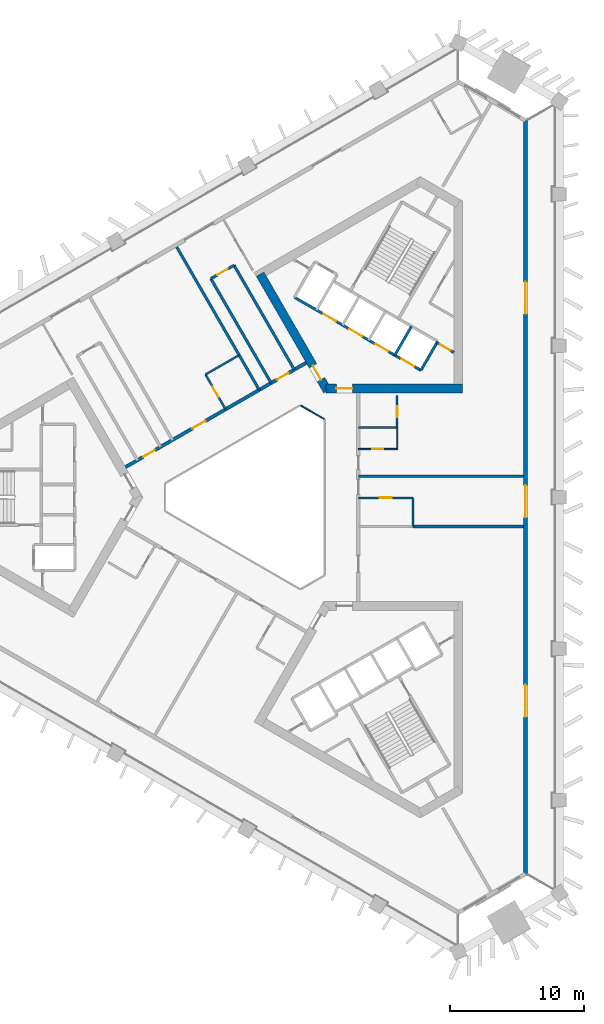
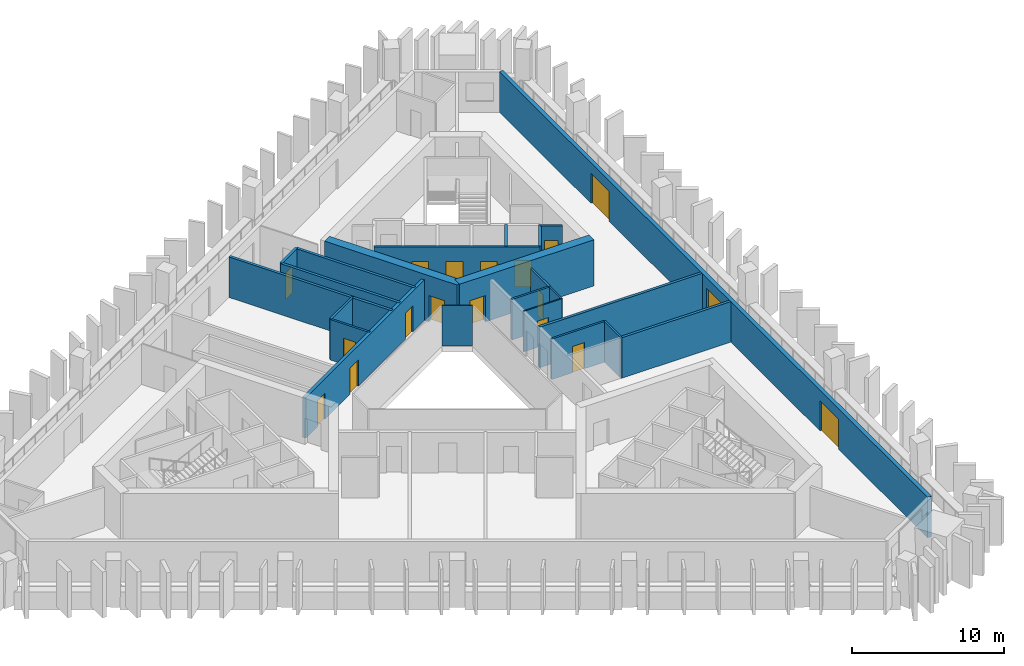
# One storey, part 5 of 10: 23 walls, 18 doors, 18 openings.
"""IFC4 building model written with IfcOpenShell, lengths in metres."""

import ifcopenshell
import ifcopenshell.guid

model = None  # the IFC model being written
_history = None  # IfcOwnerHistory: only IFC2X3 demands one
_inside = {}  # id of a spatial element -> (the spatial element, [elements in it])
_under = {}  # id of a project, library or spatial element -> (it, [spatial elements below it])
_declared = {}  # id of a project -> (the project, [libraries it declares])
_typed = {}  # id of a type object -> (the type object, [elements of that type])
_made_of = {}  # id of a material, layer set ... -> (it, [elements and type objects made of it])


def new_model(schema):
    """Start an empty IFC model of exactly this schema.

    Asked for "IFC4X3", IfcOpenShell would pick the latest addendum, in which some entities
    have other attributes; the version numbers below select the first issue.
    IFC2X3 requires an IfcOwnerHistory on every rooted entity: one is made here for all.
    """
    global model, _history
    if schema == "IFC4X3":
        model = ifcopenshell.file(schema_version=(4, 3, 0, 0))
    else:
        model = ifcopenshell.file(schema=schema)
    _inside.clear()
    _under.clear()
    _declared.clear()
    _typed.clear()
    _made_of.clear()
    _history = None
    if model.schema == "IFC2X3":
        org = make("IfcOrganization", Name="unknown")
        user = make(
            "IfcPersonAndOrganization",
            ThePerson=make("IfcPerson", FamilyName="unknown"),
            TheOrganization=org,
        )
        app = make(
            "IfcApplication",
            ApplicationDeveloper=org,
            Version="unknown",
            ApplicationFullName="unknown",
            ApplicationIdentifier="unknown",
        )
        _history = make(
            "IfcOwnerHistory",
            OwningUser=user,
            OwningApplication=app,
            ChangeAction="ADDED",
            CreationDate=0,
        )
    return model


def make(cls, **values):
    """One entity of the class cls with the attributes given. An attribute that is None is left unset."""
    return model.create_entity(
        cls, **{name: value for name, value in values.items() if value is not None}
    )


def rooted(cls, **values):
    """An entity with a GlobalId (a new one), such as an element, a storey or a relation."""
    return make(cls, GlobalId=ifcopenshell.guid.new(), OwnerHistory=_history, **values)


def si_unit(unit_type, name, prefix=None):
    """IfcSIUnit, for example si_unit("LENGTHUNIT", "METRE", prefix="MILLI")."""
    return make("IfcSIUnit", UnitType=unit_type, Prefix=prefix, Name=name)


def assignment(units):
    """IfcUnitAssignment: the units of a project."""
    return None if units is None else make("IfcUnitAssignment", Units=units)


def point(xyz):
    """IfcCartesianPoint."""
    return None if xyz is None else make("IfcCartesianPoint", Coordinates=xyz)


def direction(xyz):
    """IfcDirection."""
    return None if xyz is None else make("IfcDirection", DirectionRatios=xyz)


def frame(location, z_axis=None, x_axis=None):
    """IfcAxis2Placement3D, a coordinate frame: its origin and axes. An axis left out is left unset."""
    return make(
        "IfcAxis2Placement3D",
        Location=point(location),
        Axis=direction(z_axis),
        RefDirection=direction(x_axis),
    )


def frame_2d(location, x_axis=None):
    """IfcAxis2Placement2D, a coordinate frame in the plane: its origin and x axis."""
    return make(
        "IfcAxis2Placement2D", Location=point(location), RefDirection=direction(x_axis)
    )


def origin():
    """The frame at (0, 0, 0) with its axes left unset."""
    return frame((0.0, 0.0, 0.0))


def place(relative_to, where):
    """IfcLocalPlacement: puts the frame where relative to a parent placement (None: the world)."""
    return make(
        "IfcLocalPlacement", PlacementRelTo=relative_to, RelativePlacement=where
    )


def context(
    kind, dimensions, precision=None, world=None, true_north=None, identifier=None
):
    """IfcGeometricRepresentationContext, for example the 3D "Model" context."""
    return make(
        "IfcGeometricRepresentationContext",
        ContextIdentifier=identifier,
        ContextType=kind,
        CoordinateSpaceDimension=dimensions,
        Precision=precision,
        WorldCoordinateSystem=world,
        TrueNorth=true_north,
    )


def subcontext(parent, identifier, kind, view, scale=None):
    """IfcGeometricRepresentationSubContext, for example "Body" below "Model"."""
    return make(
        "IfcGeometricRepresentationSubContext",
        ContextIdentifier=identifier,
        ContextType=kind,
        ParentContext=parent,
        TargetScale=scale,
        TargetView=view,
    )


def project(units=None, contexts=None):
    """IfcProject with its units and contexts."""
    return rooted(
        "IfcProject",
        Name="project",
        RepresentationContexts=contexts,
        UnitsInContext=assignment(units),
    )


def spatial(cls, under=None, at=None, **own):
    """A site, building, storey or space (cls), placed at a placement, below another one or the project."""
    s = rooted(cls, ObjectPlacement=at, **own)
    if under is not None:
        _under.setdefault(under.id(), (under, []))[1].append(s)
    return s


def profile(cls, at=None, kind="AREA", **sizes):
    """A parametric profile (cls). Its sizes go by their IFC names, for example OverallWidth=200.0."""
    return make(cls, ProfileType=kind, Position=at, **sizes)


def rectangle(**sizes):
    """IfcRectangleProfileDef."""
    return profile("IfcRectangleProfileDef", **sizes)


def extrude(swept, where, along, depth):
    """IfcExtrudedAreaSolid: the profile swept, set in the frame where, extruded along a direction by depth."""
    return make(
        "IfcExtrudedAreaSolid",
        SweptArea=swept,
        Position=where,
        ExtrudedDirection=direction(along),
        Depth=depth,
    )


def shape(context_of_items, identifier, shape_type, items):
    """IfcShapeRepresentation: the items that make up one representation, for example the "Body"."""
    return make(
        "IfcShapeRepresentation",
        ContextOfItems=context_of_items,
        RepresentationIdentifier=identifier,
        RepresentationType=shape_type,
        Items=items,
    )


def material(Name=None, Category=None):
    """IfcMaterial."""
    return make("IfcMaterial", Name=Name, Category=Category)


def layer(
    of_material, thickness, ventilated=None, Name=None, Category=None, Priority=None
):
    """IfcMaterialLayer: one layer of a wall or slab, of a material (None: an air gap)."""
    return make(
        "IfcMaterialLayer",
        Material=of_material,
        LayerThickness=thickness,
        IsVentilated=ventilated,
        Name=Name,
        Category=Category,
        Priority=Priority,
    )


def layer_set(layers, Name=None):
    """IfcMaterialLayerSet."""
    return make("IfcMaterialLayerSet", MaterialLayers=layers, LayerSetName=Name)


def made_of(thing, what):
    """Note that an element or type object is made of a material, layer set ...; save() writes the relation."""
    if what is not None:
        _made_of.setdefault(what.id(), (what, []))[1].append(thing)
    return thing


def type_object(cls, material=None, **own):
    """A type object (cls), such as IfcWallType, which elements share."""
    return made_of(rooted(cls, **own), material)


def element(
    cls,
    number,
    at=None,
    inside=None,
    cuts=None,
    type_object=None,
    material=None,
    context=None,
    identifier="Body",
    shape_type=None,
    held_by="IfcProductDefinitionShape",
    body=None,
    shapes=None,
    **own,
):
    """One element of the class cls, such as IfcWall. Its Tag is "e" and its number.

    at: its placement. inside: the storey or other place that contains it. cuts: it is an
    opening in that element (IfcRelVoidsElement). A single representation is given by context,
    identifier, shape_type and body (its items); several are given by shapes. held_by: the class
    of the entity that holds the representations. save() writes the other relations.
    """
    e = rooted(cls, Tag="e%d" % number, ObjectPlacement=at, **own)
    if body is not None:
        shapes = [shape(context, identifier, shape_type, body)]
    if shapes is not None:
        e.Representation = make(held_by, Representations=shapes)
    if inside is not None:
        _inside.setdefault(inside.id(), (inside, []))[1].append(e)
    if cuts is not None:
        rooted(
            "IfcRelVoidsElement", RelatingBuildingElement=cuts, RelatedOpeningElement=e
        )
    if type_object is not None:
        _typed.setdefault(type_object.id(), (type_object, []))[1].append(e)
    return made_of(e, material)


def fill(opening, filler):
    """IfcRelFillsElement: the door or window that sits in an opening."""
    return rooted(
        "IfcRelFillsElement",
        RelatingOpeningElement=opening,
        RelatedBuildingElement=filler,
    )


def aggregate(whole, parts):
    """IfcRelAggregates: a whole, such as a stair, and the parts it consists of."""
    return rooted("IfcRelAggregates", RelatingObject=whole, RelatedObjects=parts)


def save(model, path):
    """Write the relations noted so far, then the file.

    IfcRelAggregates (storeys below a building ...), IfcRelContainedInSpatialStructure (elements
    in a storey), IfcRelDefinesByType, IfcRelAssociatesMaterial and IfcRelDeclares: one each for
    every whole, place, type object, material and project.
    """
    for whole, parts in _under.values():
        aggregate(whole, parts)
    for where, things in _inside.values():
        rooted(
            "IfcRelContainedInSpatialStructure",
            RelatedElements=things,
            RelatingStructure=where,
        )
    for kind, things in _typed.values():
        rooted("IfcRelDefinesByType", RelatedObjects=things, RelatingType=kind)
    for what, things in _made_of.values():
        rooted("IfcRelAssociatesMaterial", RelatedObjects=things, RelatingMaterial=what)
    for by, libraries in _declared.values():
        rooted("IfcRelDeclares", RelatingContext=by, RelatedDefinitions=libraries)
    model.write(path)


model = new_model("IFC4")

# Units and contexts
model_context = context("Model", 3, precision=1e-05, world=origin(), true_north=direction((0.0, 1.0)))
body_context = subcontext(model_context, "Body", "Model", "MODEL_VIEW")
ifc_project = project(units=[si_unit("LENGTHUNIT", "METRE"), si_unit("AREAUNIT", "SQUARE_METRE"), si_unit("VOLUMEUNIT", "CUBIC_METRE"), si_unit("PLANEANGLEUNIT", "RADIAN"), si_unit("MASSUNIT", "GRAM", prefix="KILO")], contexts=[model_context])

# Site, building, storey
site_placement = place(None, origin())
site = spatial("IfcSite", under=ifc_project, at=site_placement, CompositionType="ELEMENT")
building_placement = place(site_placement, origin())
building = spatial("IfcBuilding", under=site, at=building_placement, Name="Jabali Bay Hotel Tower and Convention Centre", CompositionType="ELEMENT")
storey_placement = place(building_placement, frame((0.0, 0.0, 125.300048828125)))
storey = spatial("IfcBuildingStorey", under=building, at=storey_placement, Name="L30", CompositionType="ELEMENT", Elevation=125.300048828125)

# Wall
ifc_material_1 = material(Name="Fire-resistant glazing", Category="glass")
ifc_layer_1 = layer(ifc_material_1, 0.10009765625)
ifc_layer_set_1 = layer_set([ifc_layer_1], Name="Fire-resistant glazing")
wall_type_1 = type_object("IfcWallType", Name="Atrium glazed screen 100", PredefinedType="PARTITIONING", material=ifc_layer_set_1)
wall_1_placement = place(storey_placement, frame((79.530029296875, 85.84619140625, 0.0), z_axis=(0.0, 0.0, 1.0), x_axis=(-0.866041268327, 0.499972520799, 0.0)))
element("IfcWall", 1, at=wall_1_placement, inside=storey, type_object=wall_type_1, Name="Atrium screen 2 L30", PredefinedType="PARTITIONING", context=body_context, shape_type="SweptSolid", body=[
    extrude(rectangle(XDim=2.0, YDim=0.10009765625, at=frame_2d((1.0, 0.0))), origin(), (0.0, 0.0, 1.0), 3.25),
])

# Wall, opening, door
ifc_material_2 = material(Name="Concrete C40", Category="concrete")
ifc_layer_2 = layer(ifc_material_2, 0.199951171875)
ifc_layer_set_2 = layer_set([ifc_layer_2], Name="Concrete C40")
wall_type_2 = type_object("IfcWallType", Name="Core partition wall 200", PredefinedType="PARTITIONING", material=ifc_layer_set_2)
wall_2_placement = place(storey_placement, frame((89.22998046875, 90.813720703125, 0.0), z_axis=(0.0, 0.0, 1.0), x_axis=(-0.866022048785, 0.500005810984, 0.0)))
wall_2 = element("IfcWall", 2, at=wall_2_placement, inside=storey, type_object=wall_type_2, Name="Core wall 1.11 L30", PredefinedType="PARTITIONING", context=body_context, shape_type="SweptSolid", body=[
    extrude(rectangle(XDim=1.466796875, YDim=0.199951171875, at=frame_2d((0.7333984375, 0.0))), origin(), (0.0, 0.0, 1.0), 3.25),
])
opening_1_placement = place(wall_2_placement, frame((0.283447265625, 0.0, 0.0)))
opening_1 = element("IfcOpeningElement", 3, at=opening_1_placement, cuts=wall_2, Name="Opening D671", PredefinedType="OPENING", context=body_context, shape_type="SweptSolid", body=[
    extrude(rectangle(XDim=0.89990234375, YDim=2.10009765625, at=frame_2d((0.449951171875, 1.050048828125))), frame((0.0, 0.1103515625, 0.0), z_axis=(0.0, -1.0, 0.0), x_axis=(1.0, 0.0, 0.0)), (0.0, 0.0, 1.0), 0.220947265625),
])
ifc_material_3 = material(Name="Fire-rated steel door", Category="steel")
door_type_1 = type_object("IfcDoorType", Name="Vestibule fire door 900 x 2100", OperationType="NOTDEFINED", PredefinedType="NOTDEFINED", material=ifc_material_3)
door_1_placement = place(opening_1_placement, origin())
door_1 = element("IfcDoor", 4, at=door_1_placement, inside=storey, type_object=door_type_1, Name="Vestibule fire door D671", OperationType="SINGLE_SWING_LEFT", OverallHeight=2.10009765625, OverallWidth=0.89990234375, PredefinedType="NOTDEFINED", context=body_context, shape_type="SweptSolid", body=[
    extrude(rectangle(XDim=0.89990234375, YDim=2.10009765625, at=frame_2d((0.449951171875, 1.050048828125))), frame((0.0, 0.02490234375, 0.0), z_axis=(0.0, -1.0, 0.0), x_axis=(1.0, 0.0, 0.0)), (0.0, 0.0, 1.0), 0.050048828125),
])
fill(opening_1, door_1)

# Walls
ifc_layer_3 = layer(ifc_material_2, 0.199951171875)
ifc_layer_set_3 = layer_set([ifc_layer_3], Name="Concrete C40")
wall_type_3 = type_object("IfcWallType", Name="Core stair wall 200", PredefinedType="SOLIDWALL", material=ifc_layer_set_3)
for number, where, z_axis, x_axis, name in (
    (5, (86.769775390625, 89.48583984375, 0.0), (0.0, 0.0, 1.0), (0.499961042966, 0.86604789447, 0.0), "Core wall 1.0 L30"),
    (6, (84.8212890625, 90.61083984375, 0.0), (0.0, 0.0, 1.0), (0.499961042966, 0.86604789447, 0.0), "Core wall 1.2 L30"),
):
    element("IfcWall", number, at=place(storey_placement, frame(where, z_axis=z_axis, x_axis=x_axis)), inside=storey, type_object=wall_type_3, Name=name, PredefinedType="SOLIDWALL", context=body_context, shape_type="SweptSolid", body=[
        extrude(rectangle(XDim=2.480224609375, YDim=0.199951171875, at=frame_2d((1.240234375, 0.0))), origin(), (0.0, 0.0, 1.0), 3.25),
    ])

# Wall, openings, doors
wall_3_placement = place(storey_placement, frame((86.769775390625, 89.48583984375, 0.0), z_axis=(0.0, 0.0, 1.0), x_axis=(-0.86601811187, 0.500012629753, 0.0)))
wall_3 = element("IfcWall", 7, at=wall_3_placement, inside=storey, type_object=wall_type_3, Name="Core wall 1.10 L30", PredefinedType="SOLIDWALL", context=body_context, shape_type="SweptSolid", body=[
    extrude(rectangle(XDim=10.900146484375, YDim=0.199951171875, at=frame_2d((5.4501953125, 0.0))), origin(), (0.0, 0.0, 1.0), 3.25),
])
opening_2_placement = place(wall_3_placement, frame((0.574951171875, 0.0, 0.0)))
opening_2 = element("IfcOpeningElement", 8, at=opening_2_placement, cuts=wall_3, Name="Opening LD6-L30", PredefinedType="OPENING", context=body_context, shape_type="SweptSolid", body=[
    extrude(rectangle(XDim=1.10009765625, YDim=2.10009765625, at=frame_2d((0.550048828125, 1.050048828125))), frame((0.0, 0.1103515625, 0.0), z_axis=(0.0, -1.0, 0.0), x_axis=(1.0, 0.0, 0.0)), (0.0, 0.0, 1.0), 0.220947265625),
])
opening_3_placement = place(wall_3_placement, frame((2.824951171875, 0.0, 0.0)))
opening_3 = element("IfcOpeningElement", 9, at=opening_3_placement, cuts=wall_3, Name="Opening LD7-L30", PredefinedType="OPENING", context=body_context, shape_type="SweptSolid", body=[
    extrude(rectangle(XDim=1.10009765625, YDim=2.10009765625, at=frame_2d((0.550048828125, 1.050048828125))), frame((0.0, 0.1103515625, 0.0), z_axis=(0.0, -1.0, 0.0), x_axis=(1.0, 0.0, 0.0)), (0.0, 0.0, 1.0), 0.220947265625),
])
opening_4_placement = place(wall_3_placement, frame((5.074951171875, 0.0, 0.0)))
opening_4 = element("IfcOpeningElement", 10, at=opening_4_placement, cuts=wall_3, Name="Opening LD8-L30", PredefinedType="OPENING", context=body_context, shape_type="SweptSolid", body=[
    extrude(rectangle(XDim=1.10009765625, YDim=2.10009765625, at=frame_2d((0.550048828125, 1.050048828125))), frame((0.0, 0.1103515625, 0.0), z_axis=(0.0, -1.0, 0.0), x_axis=(1.0, 0.0, 0.0)), (0.0, 0.0, 1.0), 0.220947265625),
])
opening_5_placement = place(wall_3_placement, frame((7.324951171875, 0.0, 0.0)))
opening_5 = element("IfcOpeningElement", 11, at=opening_5_placement, cuts=wall_3, Name="Opening LD9-L30", PredefinedType="OPENING", context=body_context, shape_type="SweptSolid", body=[
    extrude(rectangle(XDim=1.10009765625, YDim=2.10009765625, at=frame_2d((0.550048828125, 1.050048828125))), frame((0.0, 0.1103515625, 0.0), z_axis=(0.0, -1.0, 0.0), x_axis=(1.0, 0.0, 0.0)), (0.0, 0.0, 1.0), 0.220947265625),
])
ifc_material_4 = material(Name="Stainless steel landing door", Category="steel")
door_type_2 = type_object("IfcDoorType", Name="Landing door 1100 x 2100", OperationType="NOTDEFINED", PredefinedType="NOTDEFINED", material=ifc_material_4)
door_2_placement = place(opening_2_placement, origin())
door_2 = element("IfcDoor", 12, at=door_2_placement, inside=storey, type_object=door_type_2, Name="Landing doors LD6-L30", OperationType="SLIDING_TO_RIGHT", OverallHeight=2.10009765625, OverallWidth=1.10009765625, PredefinedType="NOTDEFINED", context=body_context, shape_type="SweptSolid", body=[
    extrude(rectangle(XDim=1.10009765625, YDim=2.10009765625, at=frame_2d((0.550048828125, 1.050048828125))), frame((0.0, 0.02490234375, 0.0), z_axis=(0.0, -1.0, 0.0), x_axis=(1.0, 0.0, 0.0)), (0.0, 0.0, 1.0), 0.050048828125),
])
fill(opening_2, door_2)
door_3_placement = place(opening_3_placement, origin())
door_3 = element("IfcDoor", 13, at=door_3_placement, inside=storey, type_object=door_type_2, Name="Landing doors LD7-L30", OperationType="SLIDING_TO_LEFT", OverallHeight=2.10009765625, OverallWidth=1.10009765625, PredefinedType="NOTDEFINED", context=body_context, shape_type="SweptSolid", body=[
    extrude(rectangle(XDim=1.10009765625, YDim=2.10009765625, at=frame_2d((0.550048828125, 1.050048828125))), frame((0.0, 0.02490234375, 0.0), z_axis=(0.0, -1.0, 0.0), x_axis=(1.0, 0.0, 0.0)), (0.0, 0.0, 1.0), 0.050048828125),
])
fill(opening_3, door_3)
door_4_placement = place(opening_4_placement, origin())
door_4 = element("IfcDoor", 14, at=door_4_placement, inside=storey, type_object=door_type_2, Name="Landing doors LD8-L30", OperationType="SLIDING_TO_RIGHT", OverallHeight=2.10009765625, OverallWidth=1.10009765625, PredefinedType="NOTDEFINED", context=body_context, shape_type="SweptSolid", body=[
    extrude(rectangle(XDim=1.10009765625, YDim=2.10009765625, at=frame_2d((0.550048828125, 1.050048828125))), frame((0.0, 0.02490234375, 0.0), z_axis=(0.0, -1.0, 0.0), x_axis=(1.0, 0.0, 0.0)), (0.0, 0.0, 1.0), 0.050048828125),
])
fill(opening_4, door_4)
door_5_placement = place(opening_5_placement, origin())
door_5 = element("IfcDoor", 15, at=door_5_placement, inside=storey, type_object=door_type_2, Name="Landing doors LD9-L30", OperationType="SLIDING_TO_LEFT", OverallHeight=2.10009765625, OverallWidth=1.10009765625, PredefinedType="NOTDEFINED", context=body_context, shape_type="SweptSolid", body=[
    extrude(rectangle(XDim=1.10009765625, YDim=2.10009765625, at=frame_2d((0.550048828125, 1.050048828125))), frame((0.0, 0.02490234375, 0.0), z_axis=(0.0, -1.0, 0.0), x_axis=(1.0, 0.0, 0.0)), (0.0, 0.0, 1.0), 0.050048828125),
])
fill(opening_5, door_5)

# Wall, opening, door
ifc_material_5 = material(Name="Concrete C60", Category="concrete")
ifc_layer_4 = layer(ifc_material_5, 0.64990234375)
ifc_layer_set_4 = layer_set([ifc_layer_4], Name="Concrete C60")
wall_type_4 = type_object("IfcWallType", Name="Core wall 650", PredefinedType="SHEAR", material=ifc_layer_set_4)
wall_4_placement = place(storey_placement, frame((79.687744140625, 88.119140625, 0.0), z_axis=(0.0, 0.0, 1.0), x_axis=(1.0, 0.0, 0.0)))
wall_4 = element("IfcWall", 16, at=wall_4_placement, inside=storey, type_object=wall_type_4, Name="Core wall 2.1 L30", PredefinedType="SHEAR", context=body_context, shape_type="SweptSolid", body=[
    extrude(rectangle(XDim=10.192138671875, YDim=0.64990234375, at=frame_2d((5.09619140625, 0.0))), origin(), (0.0, 0.0, 1.0), 3.699951171875),
])
opening_6_placement = place(wall_4_placement, frame((0.762451171875, 0.0, 0.0)))
opening_6 = element("IfcOpeningElement", 17, at=opening_6_placement, cuts=wall_4, Name="Opening D668", PredefinedType="OPENING", context=body_context, shape_type="SweptSolid", body=[
    extrude(rectangle(XDim=1.199951171875, YDim=2.10009765625, at=frame_2d((0.60009765625, 1.050048828125))), frame((0.0, 0.33544921875, 0.0), z_axis=(0.0, -1.0, 0.0), x_axis=(1.0, 0.0, 0.0)), (0.0, 0.0, 1.0), 0.6708984375),
])
door_type_3 = type_object("IfcDoorType", Name="Corridor end fire door 1200 x 2100", OperationType="NOTDEFINED", PredefinedType="NOTDEFINED", material=ifc_material_3)
door_6_placement = place(opening_6_placement, origin())
door_6 = element("IfcDoor", 18, at=door_6_placement, inside=storey, type_object=door_type_3, Name="Corridor end fire door D668", OperationType="SINGLE_SWING_RIGHT", OverallHeight=2.10009765625, OverallWidth=1.199951171875, PredefinedType="NOTDEFINED", context=body_context, shape_type="SweptSolid", body=[
    extrude(rectangle(XDim=1.199951171875, YDim=2.10009765625, at=frame_2d((0.60009765625, 1.050048828125))), frame((0.0, 0.02490234375, 0.0), z_axis=(0.0, -1.0, 0.0), x_axis=(1.0, 0.0, 0.0)), (0.0, 0.0, 1.0), 0.050048828125),
])
fill(opening_6, door_6)

wall_5_placement = place(storey_placement, frame((74.75390625, 96.66455078125, 0.0), z_axis=(0.0, 0.0, 1.0), x_axis=(0.500011799426, -0.866018591275, 0.0)))
wall_5 = element("IfcWall", 19, at=wall_5_placement, inside=storey, type_object=wall_type_4, Name="Core wall 2.5 L30", PredefinedType="SHEAR", context=body_context, shape_type="SweptSolid", body=[
    extrude(rectangle(XDim=10.054931640625, YDim=0.64990234375, at=frame_2d((5.02734375, 0.0))), origin(), (0.0, 0.0, 1.0), 3.699951171875),
])
opening_7_placement = place(wall_5_placement, frame((7.905029296875, 0.0, 0.0)))
opening_7 = element("IfcOpeningElement", 20, at=opening_7_placement, cuts=wall_5, Name="Opening D669", PredefinedType="OPENING", context=body_context, shape_type="SweptSolid", body=[
    extrude(rectangle(XDim=1.199951171875, YDim=2.10009765625, at=frame_2d((0.60009765625, 1.050048828125))), frame((0.0, 0.33544921875, 0.0), z_axis=(0.0, -1.0, 0.0), x_axis=(1.0, 0.0, 0.0)), (0.0, 0.0, 1.0), 0.6708984375),
])
door_7_placement = place(opening_7_placement, origin())
door_7 = element("IfcDoor", 21, at=door_7_placement, inside=storey, type_object=door_type_3, Name="Corridor end fire door D669", OperationType="SINGLE_SWING_LEFT", OverallHeight=2.10009765625, OverallWidth=1.199951171875, PredefinedType="NOTDEFINED", context=body_context, shape_type="SweptSolid", body=[
    extrude(rectangle(XDim=1.199951171875, YDim=2.10009765625, at=frame_2d((0.60009765625, 1.050048828125))), frame((0.0, 0.02490234375, 0.0), z_axis=(0.0, -1.0, 0.0), x_axis=(1.0, 0.0, 0.0)), (0.0, 0.0, 1.0), 0.050048828125),
])
fill(opening_7, door_7)

# Wall, openings, doors
ifc_layer_5 = layer(ifc_material_5, 0.25)
ifc_layer_set_5 = layer_set([ifc_layer_5], Name="Concrete C60")
wall_type_5 = type_object("IfcWallType", Name="Corridor wall 250", PredefinedType="SHEAR", material=ifc_layer_set_5)
wall_6_placement = place(storey_placement, frame((78.199951171875, 90.0458984375, 0.0), z_axis=(0.0, 0.0, 1.0), x_axis=(-0.866026492143, -0.499998114903, 0.0)))
wall_6 = element("IfcWall", 22, at=wall_6_placement, inside=storey, type_object=wall_type_5, Name="Corridor wall 2 L30", PredefinedType="SHEAR", context=body_context, shape_type="SweptSolid", body=[
    extrude(rectangle(XDim=15.58837890625, YDim=0.25, at=frame_2d((7.794189453125, 0.0))), origin(), (0.0, 0.0, 1.0), 3.25),
])
opening_8_placement = place(wall_6_placement, frame((1.526611328125, 0.0, 0.0)))
opening_8 = element("IfcOpeningElement", 23, at=opening_8_placement, cuts=wall_6, Name="Opening 3007", PredefinedType="OPENING", context=body_context, shape_type="SweptSolid", body=[
    extrude(rectangle(XDim=1.0, YDim=2.10009765625, at=frame_2d((0.5, 1.050048828125))), frame((0.0, 0.135498046875, 0.0), z_axis=(0.0, -1.0, 0.0), x_axis=(1.0, 0.0, 0.0)), (0.0, 0.0, 1.0), 0.27099609375),
])
opening_9_placement = place(wall_6_placement, frame((8.694091796875, 0.0, 0.0)))
opening_9 = element("IfcOpeningElement", 24, at=opening_9_placement, cuts=wall_6, Name="Opening 3012", PredefinedType="OPENING", context=body_context, shape_type="SweptSolid", body=[
    extrude(rectangle(XDim=1.10009765625, YDim=2.10009765625, at=frame_2d((0.550048828125, 1.050048828125))), frame((0.0, 0.135498046875, 0.0), z_axis=(0.0, -1.0, 0.0), x_axis=(1.0, 0.0, 0.0)), (0.0, 0.0, 1.0), 0.27099609375),
])
opening_10_placement = place(wall_6_placement, frame((13.06201171875, 0.0, 0.0)))
opening_10 = element("IfcOpeningElement", 25, at=opening_10_placement, cuts=wall_6, Name="Opening 3013", PredefinedType="OPENING", context=body_context, shape_type="SweptSolid", body=[
    extrude(rectangle(XDim=1.0, YDim=2.10009765625, at=frame_2d((0.5, 1.050048828125))), frame((0.0, 0.135498046875, 0.0), z_axis=(0.0, -1.0, 0.0), x_axis=(1.0, 0.0, 0.0)), (0.0, 0.0, 1.0), 0.27099609375),
])
ifc_material_6 = material(Name="Timber", Category="wood")
door_type_4 = type_object("IfcDoorType", Name="Accessible guest room door 1100 x 2100", OperationType="NOTDEFINED", PredefinedType="NOTDEFINED", material=ifc_material_6)
door_8_placement = place(opening_9_placement, origin())
door_8 = element("IfcDoor", 26, at=door_8_placement, inside=storey, type_object=door_type_4, Name="Door 3012", OperationType="SINGLE_SWING_RIGHT", OverallHeight=2.10009765625, OverallWidth=1.10009765625, PredefinedType="NOTDEFINED", context=body_context, shape_type="SweptSolid", body=[
    extrude(rectangle(XDim=1.10009765625, YDim=2.10009765625, at=frame_2d((0.550048828125, 1.050048828125))), frame((0.0, 0.02490234375, 0.0), z_axis=(0.0, -1.0, 0.0), x_axis=(1.0, 0.0, 0.0)), (0.0, 0.0, 1.0), 0.050048828125),
])
fill(opening_9, door_8)
door_type_5 = type_object("IfcDoorType", Name="Guest room door 1000 x 2100", OperationType="NOTDEFINED", PredefinedType="NOTDEFINED", material=ifc_material_6)
door_9_placement = place(opening_8_placement, origin())
door_9 = element("IfcDoor", 27, at=door_9_placement, inside=storey, type_object=door_type_5, Name="Door 3007", OperationType="SINGLE_SWING_LEFT", OverallHeight=2.10009765625, OverallWidth=1.0, PredefinedType="NOTDEFINED", context=body_context, shape_type="SweptSolid", body=[
    extrude(rectangle(XDim=1.0, YDim=2.10009765625, at=frame_2d((0.5, 1.050048828125))), frame((0.0, 0.02490234375, 0.0), z_axis=(0.0, -1.0, 0.0), x_axis=(1.0, 0.0, 0.0)), (0.0, 0.0, 1.0), 0.050048828125),
])
fill(opening_8, door_9)
door_10_placement = place(opening_10_placement, origin())
door_10 = element("IfcDoor", 28, at=door_10_placement, inside=storey, type_object=door_type_5, Name="Door 3013", OperationType="SINGLE_SWING_RIGHT", OverallHeight=2.10009765625, OverallWidth=1.0, PredefinedType="NOTDEFINED", context=body_context, shape_type="SweptSolid", body=[
    extrude(rectangle(XDim=1.0, YDim=2.10009765625, at=frame_2d((0.5, 1.050048828125))), frame((0.0, 0.02490234375, 0.0), z_axis=(0.0, -1.0, 0.0), x_axis=(1.0, 0.0, 0.0)), (0.0, 0.0, 1.0), 0.050048828125),
])
fill(opening_10, door_10)

ifc_layer_6 = layer(ifc_material_2, 0.300048828125)
ifc_layer_set_6 = layer_set([ifc_layer_6], Name="Concrete C40")
wall_type_6 = type_object("IfcWallType", Name="External wall 300", PredefinedType="SOLIDWALL", material=ifc_layer_set_6)
wall_7_placement = place(storey_placement, frame((94.575927734375, 108.146728515625, 0.0), z_axis=(0.0, 0.0, 1.0), x_axis=(0.0, -1.0, 0.0)))
wall_7 = element("IfcWall", 29, at=wall_7_placement, inside=storey, type_object=wall_type_6, Name="External wall east face L30", PredefinedType="SOLIDWALL", context=body_context, shape_type="SweptSolid", body=[
    extrude(rectangle(XDim=56.29345703125, YDim=0.300048828125, at=frame_2d((28.146728515625, 0.0))), origin(), (0.0, 0.0, 1.0), 3.25),
])
opening_11_placement = place(wall_7_placement, frame((27.258544921875, 0.0, 0.0)))
opening_11 = element("IfcOpeningElement", 30, at=opening_11_placement, cuts=wall_7, Name="Opening SD1", PredefinedType="OPENING", context=body_context, shape_type="SweptSolid", body=[
    extrude(rectangle(XDim=2.39990234375, YDim=2.39990234375, at=frame_2d((1.199951171875, 1.199951171875))), frame((0.0, 0.16064453125, 0.0), z_axis=(0.0, -1.0, 0.0), x_axis=(1.0, 0.0, 0.0)), (0.0, 0.0, 1.0), 0.321044921875),
])
opening_12_placement = place(wall_7_placement, frame((42.154541015625, 0.0, 0.0)))
opening_12 = element("IfcOpeningElement", 31, at=opening_12_placement, cuts=wall_7, Name="Opening SD1", PredefinedType="OPENING", context=body_context, shape_type="SweptSolid", body=[
    extrude(rectangle(XDim=2.39990234375, YDim=2.39990234375, at=frame_2d((1.199951171875, 1.199951171875))), frame((0.0, 0.16064453125, 0.0), z_axis=(0.0, -1.0, 0.0), x_axis=(1.0, 0.0, 0.0)), (0.0, 0.0, 1.0), 0.321044921875),
])
opening_13_placement = place(wall_7_placement, frame((12.050537109375, 0.0, 0.0)))
opening_13 = element("IfcOpeningElement", 32, at=opening_13_placement, cuts=wall_7, Name="Opening SD1", PredefinedType="OPENING", context=body_context, shape_type="SweptSolid", body=[
    extrude(rectangle(XDim=2.39990234375, YDim=2.39990234375, at=frame_2d((1.199951171875, 1.199951171875))), frame((0.0, 0.16064453125, 0.0), z_axis=(0.0, -1.0, 0.0), x_axis=(1.0, 0.0, 0.0)), (0.0, 0.0, 1.0), 0.321044921875),
])
ifc_material_7 = material(Name="Glass", Category="glass")
door_type_6 = type_object("IfcDoorType", Name="Loggia sliding door 2400 x 2400", OperationType="NOTDEFINED", PredefinedType="NOTDEFINED", material=ifc_material_7)
door_11_placement = place(opening_11_placement, origin())
door_11 = element("IfcDoor", 33, at=door_11_placement, inside=storey, type_object=door_type_6, Name="Loggia sliding door 3002", OperationType="SLIDING_TO_LEFT", OverallHeight=2.39990234375, OverallWidth=2.39990234375, PredefinedType="NOTDEFINED", context=body_context, shape_type="SweptSolid", body=[
    extrude(rectangle(XDim=2.39990234375, YDim=2.39990234375, at=frame_2d((1.199951171875, 1.199951171875))), frame((0.0, 0.02490234375, 0.0), z_axis=(0.0, -1.0, 0.0), x_axis=(1.0, 0.0, 0.0)), (0.0, 0.0, 1.0), 0.050048828125),
])
fill(opening_11, door_11)
door_12_placement = place(opening_12_placement, origin())
door_12 = element("IfcDoor", 34, at=door_12_placement, inside=storey, type_object=door_type_6, Name="Loggia sliding door 3001", OperationType="SLIDING_TO_RIGHT", OverallHeight=2.39990234375, OverallWidth=2.39990234375, PredefinedType="NOTDEFINED", context=body_context, shape_type="SweptSolid", body=[
    extrude(rectangle(XDim=2.39990234375, YDim=2.39990234375, at=frame_2d((1.199951171875, 1.199951171875))), frame((0.0, 0.02490234375, 0.0), z_axis=(0.0, -1.0, 0.0), x_axis=(1.0, 0.0, 0.0)), (0.0, 0.0, 1.0), 0.050048828125),
])
fill(opening_12, door_12)
door_13_placement = place(opening_13_placement, origin())
door_13 = element("IfcDoor", 35, at=door_13_placement, inside=storey, type_object=door_type_6, Name="Loggia sliding door 3003", OperationType="SLIDING_TO_LEFT", OverallHeight=2.39990234375, OverallWidth=2.39990234375, PredefinedType="NOTDEFINED", context=body_context, shape_type="SweptSolid", body=[
    extrude(rectangle(XDim=2.39990234375, YDim=2.39990234375, at=frame_2d((1.199951171875, 1.199951171875))), frame((0.0, 0.02490234375, 0.0), z_axis=(0.0, -1.0, 0.0), x_axis=(1.0, 0.0, 0.0)), (0.0, 0.0, 1.0), 0.050048828125),
])
fill(opening_13, door_13)

# Wall
ifc_material_8 = material(Name="Plasterboard on steel stud", Category="steel")
ifc_layer_7 = layer(ifc_material_8, 0.10009765625)
ifc_layer_set_7 = layer_set([ifc_layer_7], Name="Plasterboard on steel stud")
wall_type_7 = type_object("IfcWallType", Name="Partition 100 unit", PredefinedType="PARTITIONING", material=ifc_layer_set_7)
wall_8_placement = place(storey_placement, frame((85.0, 85.1943359375, 0.0), z_axis=(0.0, 0.0, 1.0), x_axis=(0.0, -1.0, 0.0)))
element("IfcWall", 36, at=wall_8_placement, inside=storey, type_object=wall_type_7, Name="Partition P02 L30 008", PredefinedType="PARTITIONING", context=body_context, shape_type="SweptSolid", body=[
    extrude(rectangle(XDim=1.60009765625, YDim=0.10009765625, at=frame_2d((0.800048828125, 0.0))), origin(), (0.0, 0.0, 1.0), 3.25),
])

# Wall, opening, door
wall_9_placement = place(storey_placement, frame((85.0, 83.59423828125, 0.0), z_axis=(0.0, 0.0, 1.0), x_axis=(-1.0, 0.0, 0.0)))
wall_9 = element("IfcWall", 37, at=wall_9_placement, inside=storey, type_object=wall_type_7, Name="Partition P02 L30 009", PredefinedType="PARTITIONING", context=body_context, shape_type="SweptSolid", body=[
    extrude(rectangle(XDim=2.89990234375, YDim=0.10009765625, at=frame_2d((1.449951171875, 0.0))), origin(), (0.0, 0.0, 1.0), 3.25),
])
opening_14_placement = place(wall_9_placement, frame((1.050048828125, 0.0, 0.0)))
opening_14 = element("IfcOpeningElement", 38, at=opening_14_placement, cuts=wall_9, Name="Opening 3005", PredefinedType="OPENING", context=body_context, shape_type="SweptSolid", body=[
    extrude(rectangle(XDim=0.800048828125, YDim=2.10009765625, at=frame_2d((0.39990234375, 1.050048828125))), frame((0.0, 0.060546875, 0.0), z_axis=(0.0, -1.0, 0.0), x_axis=(1.0, 0.0, 0.0)), (0.0, 0.0, 1.0), 0.12109375),
])
door_type_7 = type_object("IfcDoorType", Name="Dressing room door 800 x 2100", OperationType="NOTDEFINED", PredefinedType="NOTDEFINED", material=ifc_material_6)
door_14_placement = place(opening_14_placement, origin())
door_14 = element("IfcDoor", 39, at=door_14_placement, inside=storey, type_object=door_type_7, Name="Door 3005", OperationType="SINGLE_SWING_LEFT", OverallHeight=2.10009765625, OverallWidth=0.800048828125, PredefinedType="NOTDEFINED", context=body_context, shape_type="SweptSolid", body=[
    extrude(rectangle(XDim=0.800048828125, YDim=2.10009765625, at=frame_2d((0.39990234375, 1.050048828125))), frame((0.0, 0.02490234375, 0.0), z_axis=(0.0, -1.0, 0.0), x_axis=(1.0, 0.0, 0.0)), (0.0, 0.0, 1.0), 0.050048828125),
])
fill(opening_14, door_14)

ifc_layer_8 = layer(ifc_material_8, 0.14990234375)
ifc_layer_set_8 = layer_set([ifc_layer_8], Name="Plasterboard on steel stud")
wall_type_8 = type_object("IfcWallType", Name="Partition 150 wet", PredefinedType="PARTITIONING", material=ifc_layer_set_8)
wall_10_placement = place(storey_placement, frame((82.10009765625, 79.958740234375, 0.0), z_axis=(0.0, 0.0, 1.0), x_axis=(1.0, 0.0, 0.0)))
wall_10 = element("IfcWall", 40, at=wall_10_placement, inside=storey, type_object=wall_type_8, Name="Partition P03 L30 004", PredefinedType="PARTITIONING", context=body_context, shape_type="SweptSolid", body=[
    extrude(rectangle(XDim=4.06298828125, YDim=0.14990234375, at=frame_2d((2.031494140625, 0.0))), origin(), (0.0, 0.0, 1.0), 3.25),
])
opening_15_placement = place(wall_10_placement, frame((1.58203125, 0.0, 0.0)))
opening_15 = element("IfcOpeningElement", 41, at=opening_15_placement, cuts=wall_10, Name="Opening 3002", PredefinedType="OPENING", context=body_context, shape_type="SweptSolid", body=[
    extrude(rectangle(XDim=0.89990234375, YDim=2.10009765625, at=frame_2d((0.449951171875, 1.050048828125))), frame((0.0, 0.08544921875, 0.0), z_axis=(0.0, -1.0, 0.0), x_axis=(1.0, 0.0, 0.0)), (0.0, 0.0, 1.0), 0.1708984375),
])
door_type_8 = type_object("IfcDoorType", Name="Accessible en-suite door 900 x 2100", OperationType="NOTDEFINED", PredefinedType="NOTDEFINED", material=ifc_material_6)
door_15_placement = place(opening_15_placement, origin())
door_15 = element("IfcDoor", 42, at=door_15_placement, inside=storey, type_object=door_type_8, Name="Door 3002", OperationType="SINGLE_SWING_RIGHT", OverallHeight=2.10009765625, OverallWidth=0.89990234375, PredefinedType="NOTDEFINED", context=body_context, shape_type="SweptSolid", body=[
    extrude(rectangle(XDim=0.89990234375, YDim=2.10009765625, at=frame_2d((0.449951171875, 1.050048828125))), frame((0.0, 0.02490234375, 0.0), z_axis=(0.0, -1.0, 0.0), x_axis=(1.0, 0.0, 0.0)), (0.0, 0.0, 1.0), 0.050048828125),
])
fill(opening_15, door_15)

# Wall
wall_11_placement = place(storey_placement, frame((86.1630859375, 79.958740234375, 0.0), z_axis=(0.0, 0.0, 1.0), x_axis=(0.0, -1.0, 0.0)))
element("IfcWall", 43, at=wall_11_placement, inside=storey, type_object=wall_type_8, Name="Partition P03 L30 005", PredefinedType="PARTITIONING", context=body_context, shape_type="SweptSolid", body=[
    extrude(rectangle(XDim=2.14111328125, YDim=0.14990234375, at=frame_2d((1.070556640625, 0.0))), origin(), (0.0, 0.0, 1.0), 3.25),
])

# Wall, opening, door
wall_12_placement = place(storey_placement, frame((85.0, 87.59521484375, 0.0), z_axis=(0.0, 0.0, 1.0), x_axis=(0.0, -1.0, 0.0)))
wall_12 = element("IfcWall", 44, at=wall_12_placement, inside=storey, type_object=wall_type_8, Name="Partition P03 L30 007", PredefinedType="PARTITIONING", context=body_context, shape_type="SweptSolid", body=[
    extrude(rectangle(XDim=2.40087890625, YDim=0.14990234375, at=frame_2d((1.200439453125, 0.0))), origin(), (0.0, 0.0, 1.0), 3.25),
])
opening_16_placement = place(wall_12_placement, frame((0.801025390625, 0.0, 0.0)))
opening_16 = element("IfcOpeningElement", 45, at=opening_16_placement, cuts=wall_12, Name="Opening 3004", PredefinedType="OPENING", context=body_context, shape_type="SweptSolid", body=[
    extrude(rectangle(XDim=0.800048828125, YDim=2.10009765625, at=frame_2d((0.39990234375, 1.050048828125))), frame((0.0, 0.08544921875, 0.0), z_axis=(0.0, -1.0, 0.0), x_axis=(1.0, 0.0, 0.0)), (0.0, 0.0, 1.0), 0.1708984375),
])
door_type_9 = type_object("IfcDoorType", Name="En-suite door 800 x 2100", OperationType="NOTDEFINED", PredefinedType="NOTDEFINED", material=ifc_material_6)
door_16_placement = place(opening_16_placement, origin())
door_16 = element("IfcDoor", 46, at=door_16_placement, inside=storey, type_object=door_type_9, Name="Door 3004", OperationType="SINGLE_SWING_LEFT", OverallHeight=2.10009765625, OverallWidth=0.800048828125, PredefinedType="NOTDEFINED", context=body_context, shape_type="SweptSolid", body=[
    extrude(rectangle(XDim=0.800048828125, YDim=2.10009765625, at=frame_2d((0.39990234375, 1.050048828125))), frame((0.0, 0.02490234375, 0.0), z_axis=(0.0, -1.0, 0.0), x_axis=(1.0, 0.0, 0.0)), (0.0, 0.0, 1.0), 0.050048828125),
])
fill(opening_16, door_16)

# Wall
wall_13_placement = place(storey_placement, frame((82.10009765625, 85.1943359375, 0.0), z_axis=(0.0, 0.0, 1.0), x_axis=(1.0, 0.0, 0.0)))
element("IfcWall", 47, at=wall_13_placement, inside=storey, type_object=wall_type_8, Name="Partition P03 L30 011", PredefinedType="PARTITIONING", context=body_context, shape_type="SweptSolid", body=[
    extrude(rectangle(XDim=2.89990234375, YDim=0.14990234375, at=frame_2d((1.449951171875, 0.0))), origin(), (0.0, 0.0, 1.0), 3.25),
])

# Wall, opening, door
wall_14_placement = place(storey_placement, frame((72.178466796875, 86.5693359375, 0.0), z_axis=(0.0, 0.0, 1.0), x_axis=(-0.499990139034, 0.866031096941, 0.0)))
wall_14 = element("IfcWall", 48, at=wall_14_placement, inside=storey, type_object=wall_type_8, Name="Partition P03 L30 020", PredefinedType="PARTITIONING", context=body_context, shape_type="SweptSolid", body=[
    extrude(rectangle(XDim=3.0, YDim=0.14990234375, at=frame_2d((1.5, 0.0))), origin(), (0.0, 0.0, 1.0), 3.25),
])
opening_17_placement = place(wall_14_placement, frame((1.050048828125, 0.0, 0.0)))
opening_17 = element("IfcOpeningElement", 49, at=opening_17_placement, cuts=wall_14, Name="Opening 3011", PredefinedType="OPENING", context=body_context, shape_type="SweptSolid", body=[
    extrude(rectangle(XDim=0.89990234375, YDim=2.10009765625, at=frame_2d((0.449951171875, 1.050048828125))), frame((0.0, 0.08544921875, 0.0), z_axis=(0.0, -1.0, 0.0), x_axis=(1.0, 0.0, 0.0)), (0.0, 0.0, 1.0), 0.1708984375),
])
door_17_placement = place(opening_17_placement, origin())
door_17 = element("IfcDoor", 50, at=door_17_placement, inside=storey, type_object=door_type_8, Name="Door 3011", OperationType="SINGLE_SWING_LEFT", OverallHeight=2.10009765625, OverallWidth=0.89990234375, PredefinedType="NOTDEFINED", context=body_context, shape_type="SweptSolid", body=[
    extrude(rectangle(XDim=0.89990234375, YDim=2.10009765625, at=frame_2d((0.449951171875, 1.050048828125))), frame((0.0, 0.02490234375, 0.0), z_axis=(0.0, -1.0, 0.0), x_axis=(1.0, 0.0, 0.0)), (0.0, 0.0, 1.0), 0.050048828125),
])
fill(opening_17, door_17)

# Walls
wall_15_placement = place(storey_placement, frame((70.678466796875, 89.16748046875, 0.0), z_axis=(0.0, 0.0, 1.0), x_axis=(0.866032775405, 0.499987231761, 0.0)))
element("IfcWall", 51, at=wall_15_placement, inside=storey, type_object=wall_type_8, Name="Partition P03 L30 021", PredefinedType="PARTITIONING", context=body_context, shape_type="SweptSolid", body=[
    extrude(rectangle(XDim=2.89990234375, YDim=0.14990234375, at=frame_2d((1.449951171875, 0.0))), origin(), (0.0, 0.0, 1.0), 3.25),
])
ifc_layer_9 = layer(ifc_material_8, 0.199951171875)
ifc_layer_set_9 = layer_set([ifc_layer_9], Name="Plasterboard on steel stud")
wall_type_9 = type_object("IfcWallType", Name="Partition 200 party", PredefinedType="PARTITIONING", material=ifc_layer_set_9)
wall_16_placement = place(storey_placement, frame((94.427001953125, 77.817626953125, 0.0), z_axis=(0.0, 0.0, 1.0), x_axis=(-1.0, 0.0, 0.0)))
element("IfcWall", 52, at=wall_16_placement, inside=storey, type_object=wall_type_9, Name="Partition P01 L30 001", PredefinedType="PARTITIONING", context=body_context, shape_type="SweptSolid", body=[
    extrude(rectangle(XDim=8.263916015625, YDim=0.199951171875, at=frame_2d((4.1318359375, 0.0))), origin(), (0.0, 0.0, 1.0), 3.25),
])
wall_17_placement = place(storey_placement, frame((94.427001953125, 81.558837890625, 0.0), z_axis=(0.0, 0.0, 1.0), x_axis=(-1.0, 0.0, 0.0)))
element("IfcWall", 53, at=wall_17_placement, inside=storey, type_object=wall_type_9, Name="Partition P01 L30 006", PredefinedType="PARTITIONING", context=body_context, shape_type="SweptSolid", body=[
    extrude(rectangle(XDim=12.326904296875, YDim=0.199951171875, at=frame_2d((6.16357421875, 0.0))), origin(), (0.0, 0.0, 1.0), 3.25),
])
wall_18_placement = place(storey_placement, frame((75.578857421875, 88.53271484375, 0.0), z_axis=(0.0, 0.0, 1.0), x_axis=(-0.5000018851, 0.866024315419, 0.0)))
element("IfcWall", 54, at=wall_18_placement, inside=storey, type_object=wall_type_9, Name="Partition P01 L30 013", PredefinedType="PARTITIONING", context=body_context, shape_type="SweptSolid", body=[
    extrude(rectangle(XDim=9.0, YDim=0.199951171875, at=frame_2d((4.5, 0.0))), origin(), (0.0, 0.0, 1.0), 3.25),
])

# Wall, opening, door
wall_19_placement = place(storey_placement, frame((71.078857421875, 96.326904296875, 0.0), z_axis=(0.0, 0.0, 1.0), x_axis=(0.866041268327, 0.499972520799, 0.0)))
wall_19 = element("IfcWall", 55, at=wall_19_placement, inside=storey, type_object=wall_type_9, Name="Partition P01 L30 014", PredefinedType="PARTITIONING", context=body_context, shape_type="SweptSolid", body=[
    extrude(rectangle(XDim=2.0, YDim=0.199951171875, at=frame_2d((1.0, 0.0))), origin(), (0.0, 0.0, 1.0), 3.25),
])
opening_18_placement = place(wall_19_placement, frame((0.550048828125, 0.0, 0.0)))
opening_18 = element("IfcOpeningElement", 56, at=opening_18_placement, cuts=wall_19, Name="Opening 3010", PredefinedType="OPENING", context=body_context, shape_type="SweptSolid", body=[
    extrude(rectangle(XDim=0.89990234375, YDim=2.10009765625, at=frame_2d((0.449951171875, 1.050048828125))), frame((0.0, 0.1103515625, 0.0), z_axis=(0.0, -1.0, 0.0), x_axis=(1.0, 0.0, 0.0)), (0.0, 0.0, 1.0), 0.220947265625),
])
door_type_10 = type_object("IfcDoorType", Name="Internal door 900 x 2100", OperationType="NOTDEFINED", PredefinedType="NOTDEFINED", material=ifc_material_6)
door_18_placement = place(opening_18_placement, origin())
door_18 = element("IfcDoor", 57, at=door_18_placement, inside=storey, type_object=door_type_10, Name="Door 3010", OperationType="SINGLE_SWING_LEFT", OverallHeight=2.10009765625, OverallWidth=0.89990234375, PredefinedType="NOTDEFINED", context=body_context, shape_type="SweptSolid", body=[
    extrude(rectangle(XDim=0.89990234375, YDim=2.10009765625, at=frame_2d((0.449951171875, 1.050048828125))), frame((0.0, 0.02490234375, 0.0), z_axis=(0.0, -1.0, 0.0), x_axis=(1.0, 0.0, 0.0)), (0.0, 0.0, 1.0), 0.050048828125),
])
fill(opening_18, door_18)

# Walls
wall_20_placement = place(storey_placement, frame((72.81103515625, 97.326904296875, 0.0), z_axis=(0.0, 0.0, 1.0), x_axis=(0.5000018851, -0.866024315419, 0.0)))
element("IfcWall", 58, at=wall_20_placement, inside=storey, type_object=wall_type_9, Name="Partition P01 L30 015", PredefinedType="PARTITIONING", context=body_context, shape_type="SweptSolid", body=[
    extrude(rectangle(XDim=9.0, YDim=0.199951171875, at=frame_2d((4.5, 0.0))), origin(), (0.0, 0.0, 1.0), 3.25),
])
wall_21_placement = place(storey_placement, frame((68.526611328125, 98.69482421875, 0.0), z_axis=(0.0, 0.0, 1.0), x_axis=(0.499988187683, -0.866032223522, 0.0)))
element("IfcWall", 59, at=wall_21_placement, inside=storey, type_object=wall_type_9, Name="Partition P01 L30 016", PredefinedType="PARTITIONING", context=body_context, shape_type="SweptSolid", body=[
    extrude(rectangle(XDim=12.326904296875, YDim=0.199951171875, at=frame_2d((6.16357421875, 0.0))), origin(), (0.0, 0.0, 1.0), 3.25),
])

save(model, "model.ifc")
